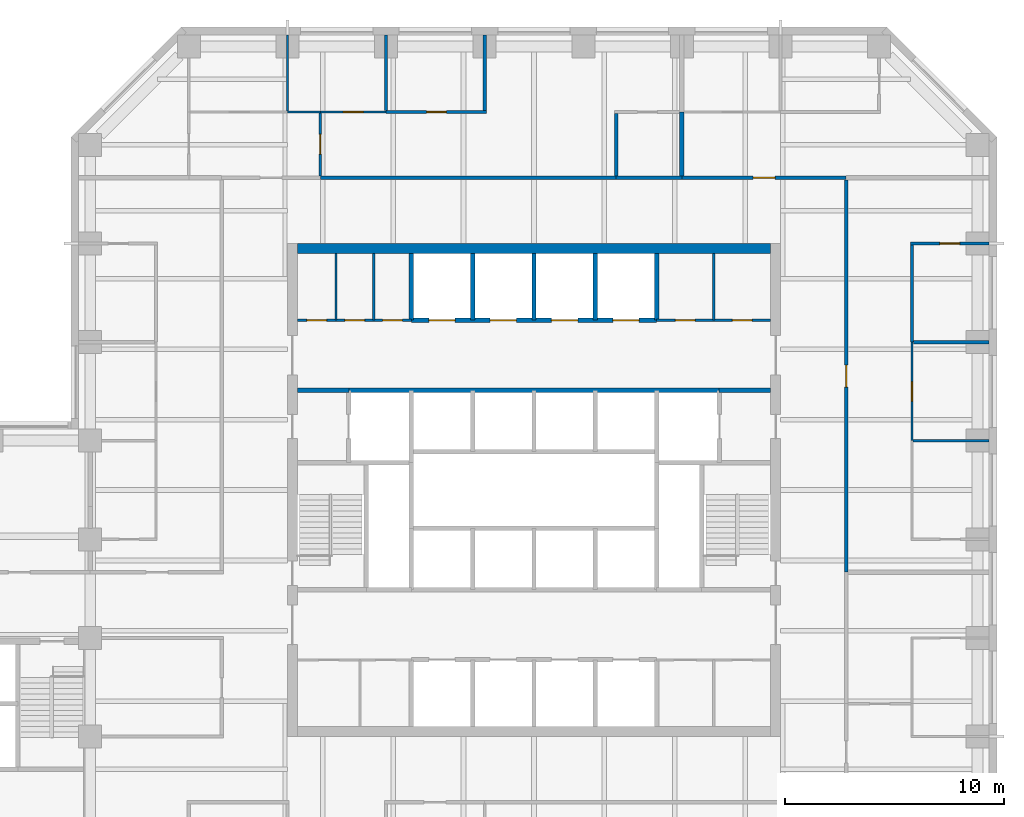
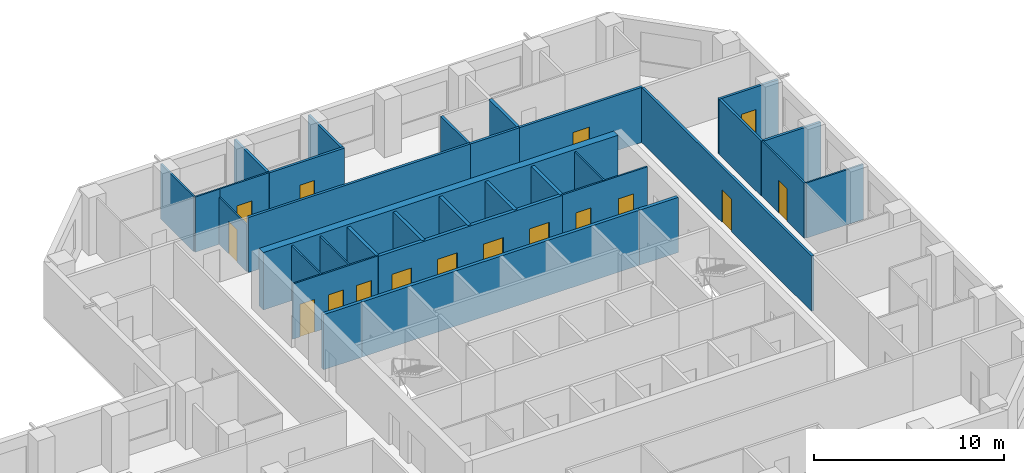
# One storey, part 8 of 11: 33 walls, 16 doors, 16 openings.
"""IFC4 building model written with IfcOpenShell, lengths in metres."""

from ifc_helpers import new_model, si_unit, direction, frame, frame_2d, origin, place, context, subcontext, project, spatial, rectangle, extrude, material, layer, layer_set, type_object, element, fill, save


model = new_model("IFC4")

# Units and contexts
model_context = context("Model", 3, precision=1e-05, world=origin(), true_north=direction((0.0, 1.0)))
body_context = subcontext(model_context, "Body", "Model", "MODEL_VIEW")
ifc_project = project(units=[si_unit("LENGTHUNIT", "METRE"), si_unit("AREAUNIT", "SQUARE_METRE"), si_unit("VOLUMEUNIT", "CUBIC_METRE"), si_unit("PLANEANGLEUNIT", "RADIAN"), si_unit("MASSUNIT", "GRAM", prefix="KILO")], contexts=[model_context])

# Site, building, storey
site_placement = place(None, origin())
site = spatial("IfcSite", under=ifc_project, at=site_placement, CompositionType="ELEMENT")
building_placement = place(site_placement, origin())
building = spatial("IfcBuilding", under=site, at=building_placement, Name="Quoin Convention Tower", CompositionType="ELEMENT")
storey_placement = place(building_placement, frame((0.0, 0.0, 108.5)))
storey = spatial("IfcBuildingStorey", under=building, at=storey_placement, Name="L28", CompositionType="ELEMENT", Elevation=108.5)

# Wall
ifc_material_1 = material(Name="Plasterboard")
ifc_layer_1 = layer(ifc_material_1, 0.012451171875, Name="Finish")
ifc_material_2 = material(Name="Steel stud framing", Category="steel")
ifc_layer_2 = layer(ifc_material_2, 0.125, Name="Structure")
ifc_layer_3 = layer(ifc_material_1, 0.012451171875, Name="Finish")
ifc_layer_set_1 = layer_set([ifc_layer_1, ifc_layer_2, ifc_layer_3], Name="Steel stud framing")
wall_type_1 = type_object("IfcWallType", Name="Acoustic partition 150", PredefinedType="PARTITIONING", material=ifc_layer_set_1)
wall_1_placement = place(storey_placement, frame((73.574951171875, 67.5, 0.0), z_axis=(0.0, 0.0, 1.0), x_axis=(1.0, 0.0, 0.0)))
element("IfcWall", 1, at=wall_1_placement, inside=storey, type_object=wall_type_1, Name="pw-L28-046", PredefinedType="PARTITIONING", context=body_context, shape_type="SweptSolid", body=[
    extrude(rectangle(XDim=3.449951171875, YDim=0.14990234375, at=frame_2d((1.72509765625, 0.0))), origin(), (0.0, 0.0, 1.0), 3.550048828125),
])

# Wall, opening, door
wall_2_placement = place(storey_placement, frame((73.425048828125, 72.0, 0.0), z_axis=(0.0, 0.0, 1.0), x_axis=(1.0, 0.0, 0.0)))
wall_2 = element("IfcWall", 2, at=wall_2_placement, inside=storey, type_object=wall_type_1, Name="pw-L28-048", PredefinedType="PARTITIONING", context=body_context, shape_type="SweptSolid", body=[
    extrude(rectangle(XDim=3.599853515625, YDim=0.14990234375, at=frame_2d((1.7998046875, 0.0))), origin(), (0.0, 0.0, 1.0), 3.550048828125),
])
opening_1_placement = place(wall_2_placement, frame((1.35009765625, 0.0, 0.0)))
opening_1 = element("IfcOpeningElement", 3, at=opening_1_placement, cuts=wall_2, Name="Opening DOL5-16", PredefinedType="OPENING", context=body_context, shape_type="SweptSolid", body=[
    extrude(rectangle(XDim=0.89990234375, YDim=2.10009765625, at=frame_2d((0.449951171875, 1.050048828125))), frame((0.0, 0.0849609375, 0.0), z_axis=(0.0, -1.0, 0.0), x_axis=(1.0, 0.0, 0.0)), (0.0, 0.0, 1.0), 0.169921875),
])
ifc_material_3 = material(Name="Steel door leaf", Category="steel")
door_type_1 = type_object("IfcDoorType", Name="Office door 900 x 2100", OperationType="SINGLE_SWING_RIGHT", PredefinedType="DOOR", material=ifc_material_3)
door_1_placement = place(opening_1_placement, origin())
door_1 = element("IfcDoor", 4, at=door_1_placement, inside=storey, type_object=door_type_1, Name="dr-L28-45", OperationType="SINGLE_SWING_RIGHT", OverallHeight=2.10009765625, OverallWidth=0.89990234375, PredefinedType="DOOR", context=body_context, shape_type="SweptSolid", body=[
    extrude(rectangle(XDim=0.89990234375, YDim=2.10009765625, at=frame_2d((0.449951171875, 1.050048828125))), frame((0.0, 0.02490234375, 0.0), z_axis=(0.0, -1.0, 0.0), x_axis=(1.0, 0.0, 0.0)), (0.0, 0.0, 1.0), 0.050048828125),
])
fill(opening_1, door_1)

wall_3_placement = place(storey_placement, frame((49.5, 78.0, 0.0), z_axis=(0.0, 0.0, 1.0), x_axis=(1.0, 0.0, 0.0)))
wall_3 = element("IfcWall", 5, at=wall_3_placement, inside=storey, type_object=wall_type_1, Name="pw-L28-059", PredefinedType="PARTITIONING", context=body_context, shape_type="SweptSolid", body=[
    extrude(rectangle(XDim=4.574951171875, YDim=0.14990234375, at=frame_2d((2.28759765625, 0.0))), origin(), (0.0, 0.0, 1.0), 3.550048828125),
])
opening_2_placement = place(wall_3_placement, frame((1.85009765625, 0.0, 0.0)))
opening_2 = element("IfcOpeningElement", 6, at=opening_2_placement, cuts=wall_3, Name="Opening DOL5-21", PredefinedType="OPENING", context=body_context, shape_type="SweptSolid", body=[
    extrude(rectangle(XDim=0.89990234375, YDim=2.10009765625, at=frame_2d((0.449951171875, 1.050048828125))), frame((0.0, 0.0849609375, 0.0), z_axis=(0.0, -1.0, 0.0), x_axis=(1.0, 0.0, 0.0)), (0.0, 0.0, 1.0), 0.169921875),
])
door_2_placement = place(opening_2_placement, frame((0.89990234375, 0.0, 0.0), z_axis=(0.0, 0.0, 1.0), x_axis=(-1.0, 0.0, 0.0)))
door_2 = element("IfcDoor", 7, at=door_2_placement, inside=storey, type_object=door_type_1, Name="dr-L28-37", OperationType="SINGLE_SWING_LEFT", OverallHeight=2.10009765625, OverallWidth=0.89990234375, PredefinedType="DOOR", context=body_context, shape_type="SweptSolid", body=[
    extrude(rectangle(XDim=0.89990234375, YDim=2.10009765625, at=frame_2d((0.449951171875, 1.050048828125))), frame((0.0, 0.02490234375, 0.0), z_axis=(0.0, -1.0, 0.0), x_axis=(1.0, 0.0, 0.0)), (0.0, 0.0, 1.0), 0.050048828125),
])
fill(opening_2, door_2)

# Walls
wall_4_placement = place(storey_placement, frame((73.5, 67.5, 0.0), z_axis=(0.0, 0.0, 1.0), x_axis=(0.0, 1.0, 0.0)))
element("IfcWall", 8, at=wall_4_placement, inside=storey, type_object=wall_type_1, Name="pw-L28-109", PredefinedType="PARTITIONING", context=body_context, shape_type="SweptSolid", body=[
    extrude(rectangle(XDim=4.425048828125, YDim=0.14990234375, at=frame_2d((2.21240234375, 0.0))), origin(), (0.0, 0.0, 1.0), 3.550048828125),
])
for number, where, z_axis, x_axis, name in (
    (9, (49.5, 78.074951171875, 0.0), (0.0, 0.0, 1.0), (0.0, 1.0, 0.0), "pw-L28-117"),
    (10, (54.0, 78.074951171875, 0.0), (0.0, 0.0, 1.0), (0.0, 1.0, 0.0), "pw-L28-118"),
):
    element("IfcWall", number, at=place(storey_placement, frame(where, z_axis=z_axis, x_axis=x_axis)), inside=storey, type_object=wall_type_1, Name=name, PredefinedType="PARTITIONING", context=body_context, shape_type="SweptSolid", body=[
        extrude(rectangle(XDim=3.449951171875, YDim=0.14990234375, at=frame_2d((1.72509765625, 0.0))), origin(), (0.0, 0.0, 1.0), 3.550048828125),
    ])

# Wall, openings, doors
ifc_layer_4 = layer(ifc_material_1, 0.012451171875, Name="Finish")
ifc_layer_5 = layer(ifc_material_2, 0.074951171875, Name="Structure")
ifc_layer_6 = layer(ifc_material_1, 0.012451171875, Name="Finish")
ifc_layer_set_2 = layer_set([ifc_layer_4, ifc_layer_5, ifc_layer_6], Name="Steel stud framing")
wall_type_2 = type_object("IfcWallType", Name="Core partition wall", PredefinedType="PARTITIONING", material=ifc_layer_set_2)
wall_5_placement = place(storey_placement, frame((45.449951171875, 68.5, 0.0), z_axis=(0.0, 0.0, 1.0), x_axis=(1.0, 0.0, 0.0)))
wall_5 = element("IfcWall", 11, at=wall_5_placement, inside=storey, type_object=wall_type_2, Name="cr-C1-L28-h19000_450", PredefinedType="PARTITIONING", context=body_context, shape_type="SweptSolid", body=[
    extrude(rectangle(XDim=5.199951171875, YDim=0.10009765625, at=frame_2d((2.60009765625, 0.0))), origin(), (0.0, 0.0, 1.0), 3.550048828125),
])
opening_3_placement = place(wall_5_placement, frame((0.43408203125, 0.0, 0.0)))
opening_3 = element("IfcOpeningElement", 12, at=opening_3_placement, cuts=wall_5, Name="Opening DCV4-15", PredefinedType="OPENING", context=body_context, shape_type="SweptSolid", body=[
    extrude(rectangle(XDim=0.89990234375, YDim=2.10009765625, at=frame_2d((0.449951171875, 1.050048828125))), frame((0.0, 0.06005859375, 0.0), z_axis=(0.0, -1.0, 0.0), x_axis=(1.0, 0.0, 0.0)), (0.0, 0.0, 1.0), 0.1201171875),
])
opening_4_placement = place(wall_5_placement, frame((2.176025390625, 0.0, 0.0)))
opening_4 = element("IfcOpeningElement", 13, at=opening_4_placement, cuts=wall_5, Name="Opening DCV4-16", PredefinedType="OPENING", context=body_context, shape_type="SweptSolid", body=[
    extrude(rectangle(XDim=0.89990234375, YDim=2.10009765625, at=frame_2d((0.449951171875, 1.050048828125))), frame((0.0, 0.06005859375, 0.0), z_axis=(0.0, -1.0, 0.0), x_axis=(1.0, 0.0, 0.0)), (0.0, 0.0, 1.0), 0.1201171875),
])
opening_5_placement = place(wall_5_placement, frame((3.89208984375, 0.0, 0.0)))
opening_5 = element("IfcOpeningElement", 14, at=opening_5_placement, cuts=wall_5, Name="Opening DCV4-17", PredefinedType="OPENING", context=body_context, shape_type="SweptSolid", body=[
    extrude(rectangle(XDim=0.89990234375, YDim=2.10009765625, at=frame_2d((0.449951171875, 1.050048828125))), frame((0.0, 0.06005859375, 0.0), z_axis=(0.0, -1.0, 0.0), x_axis=(1.0, 0.0, 0.0)), (0.0, 0.0, 1.0), 0.1201171875),
])
door_type_2 = type_object("IfcDoorType", Name="Core room door 900 x 2100", OperationType="SINGLE_SWING_LEFT", PredefinedType="DOOR", material=ifc_material_3)
door_3_placement = place(opening_3_placement, origin())
door_3 = element("IfcDoor", 15, at=door_3_placement, inside=storey, type_object=door_type_2, Name="cd-C1-L28-CNW0-lobB-CD2809", OperationType="SINGLE_SWING_RIGHT", OverallHeight=2.10009765625, OverallWidth=0.89990234375, PredefinedType="DOOR", context=body_context, shape_type="SweptSolid", body=[
    extrude(rectangle(XDim=0.89990234375, YDim=2.10009765625, at=frame_2d((0.449951171875, 1.050048828125))), frame((0.0, 0.02490234375, 0.0), z_axis=(0.0, -1.0, 0.0), x_axis=(1.0, 0.0, 0.0)), (0.0, 0.0, 1.0), 0.050048828125),
])
fill(opening_3, door_3)
door_4_placement = place(opening_4_placement, origin())
door_4 = element("IfcDoor", 16, at=door_4_placement, inside=storey, type_object=door_type_2, Name="cd-C1-L28-CNW1-lobB-CD2810", OperationType="SINGLE_SWING_RIGHT", OverallHeight=2.10009765625, OverallWidth=0.89990234375, PredefinedType="DOOR", context=body_context, shape_type="SweptSolid", body=[
    extrude(rectangle(XDim=0.89990234375, YDim=2.10009765625, at=frame_2d((0.449951171875, 1.050048828125))), frame((0.0, 0.02490234375, 0.0), z_axis=(0.0, -1.0, 0.0), x_axis=(1.0, 0.0, 0.0)), (0.0, 0.0, 1.0), 0.050048828125),
])
fill(opening_4, door_4)
door_5_placement = place(opening_5_placement, origin())
door_5 = element("IfcDoor", 17, at=door_5_placement, inside=storey, type_object=door_type_2, Name="cd-C1-L28-CNW2-lobB-CD2811", OperationType="SINGLE_SWING_RIGHT", OverallHeight=2.10009765625, OverallWidth=0.89990234375, PredefinedType="DOOR", context=body_context, shape_type="SweptSolid", body=[
    extrude(rectangle(XDim=0.89990234375, YDim=2.10009765625, at=frame_2d((0.449951171875, 1.050048828125))), frame((0.0, 0.02490234375, 0.0), z_axis=(0.0, -1.0, 0.0), x_axis=(1.0, 0.0, 0.0)), (0.0, 0.0, 1.0), 0.050048828125),
])
fill(opening_5, door_5)

wall_6_placement = place(storey_placement, frame((61.85009765625, 68.5, 0.0), z_axis=(0.0, 0.0, 1.0), x_axis=(1.0, 0.0, 0.0)))
wall_6 = element("IfcWall", 18, at=wall_6_placement, inside=storey, type_object=wall_type_2, Name="cr-C1-L28-h19000_16850", PredefinedType="PARTITIONING", context=body_context, shape_type="SweptSolid", body=[
    extrude(rectangle(XDim=5.199951171875, YDim=0.10009765625, at=frame_2d((2.60009765625, 0.0))), origin(), (0.0, 0.0, 1.0), 3.550048828125),
])
opening_6_placement = place(wall_6_placement, frame((3.449951171875, 0.0, 0.0)))
opening_6 = element("IfcOpeningElement", 19, at=opening_6_placement, cuts=wall_6, Name="Opening DCV4-04", PredefinedType="OPENING", context=body_context, shape_type="SweptSolid", body=[
    extrude(rectangle(XDim=0.89990234375, YDim=2.10009765625, at=frame_2d((0.449951171875, 1.050048828125))), frame((0.0, 0.06005859375, 0.0), z_axis=(0.0, -1.0, 0.0), x_axis=(1.0, 0.0, 0.0)), (0.0, 0.0, 1.0), 0.1201171875),
])
opening_7_placement = place(wall_6_placement, frame((0.85009765625, 0.0, 0.0)))
opening_7 = element("IfcOpeningElement", 20, at=opening_7_placement, cuts=wall_6, Name="Opening DCV4-02", PredefinedType="OPENING", context=body_context, shape_type="SweptSolid", body=[
    extrude(rectangle(XDim=0.89990234375, YDim=2.10009765625, at=frame_2d((0.449951171875, 1.050048828125))), frame((0.0, 0.06005859375, 0.0), z_axis=(0.0, -1.0, 0.0), x_axis=(1.0, 0.0, 0.0)), (0.0, 0.0, 1.0), 0.1201171875),
])
door_6_placement = place(opening_6_placement, origin())
door_6 = element("IfcDoor", 21, at=door_6_placement, inside=storey, type_object=door_type_2, Name="cd-C1-L28-CNE0-lobB-CD2807", OperationType="SINGLE_SWING_RIGHT", OverallHeight=2.10009765625, OverallWidth=0.89990234375, PredefinedType="DOOR", context=body_context, shape_type="SweptSolid", body=[
    extrude(rectangle(XDim=0.89990234375, YDim=2.10009765625, at=frame_2d((0.449951171875, 1.050048828125))), frame((0.0, 0.02490234375, 0.0), z_axis=(0.0, -1.0, 0.0), x_axis=(1.0, 0.0, 0.0)), (0.0, 0.0, 1.0), 0.050048828125),
])
fill(opening_6, door_6)
door_7_placement = place(opening_7_placement, origin())
door_7 = element("IfcDoor", 22, at=door_7_placement, inside=storey, type_object=door_type_2, Name="cd-C1-L28-CNE1-lobB-CD2808", OperationType="SINGLE_SWING_LEFT", OverallHeight=2.10009765625, OverallWidth=0.89990234375, PredefinedType="DOOR", context=body_context, shape_type="SweptSolid", body=[
    extrude(rectangle(XDim=0.89990234375, YDim=2.10009765625, at=frame_2d((0.449951171875, 1.050048828125))), frame((0.0, 0.02490234375, 0.0), z_axis=(0.0, -1.0, 0.0), x_axis=(1.0, 0.0, 0.0)), (0.0, 0.0, 1.0), 0.050048828125),
])
fill(opening_7, door_7)

# Walls
for number, where, z_axis, x_axis, name in (
    (23, (47.218017578125, 68.5, 0.0), (0.0, 0.0, 1.0), (0.0, 1.0, 0.0), "cr-C1-L28-v2218_19000"),
    (24, (48.93408203125, 68.5, 0.0), (0.0, 0.0, 1.0), (0.0, 1.0, 0.0), "cr-C1-L28-v3934_19000"),
    (25, (64.449951171875, 68.5, 0.0), (0.0, 0.0, 1.0), (0.0, 1.0, 0.0), "cr-C1-L28-v19450_19000"),
):
    element("IfcWall", number, at=place(storey_placement, frame(where, z_axis=z_axis, x_axis=x_axis)), inside=storey, type_object=wall_type_2, Name=name, PredefinedType="PARTITIONING", context=body_context, shape_type="SweptSolid", body=[
        extrude(rectangle(XDim=3.050048828125, YDim=0.10009765625, at=frame_2d((1.52490234375, 0.0))), origin(), (0.0, 0.0, 1.0), 3.550048828125),
    ])
ifc_material_4 = material(Name="Concrete C50", Category="concrete")
ifc_layer_7 = layer(ifc_material_4, 0.199951171875)
ifc_layer_set_3 = layer_set([ifc_layer_7], Name="Concrete C50")
wall_type_3 = type_object("IfcWallType", Name="Core shaft wall", PredefinedType="SOLIDWALL", material=ifc_layer_set_3)
for number, where, z_axis, x_axis, name in (
    (26, (45.449951171875, 65.300048828125, 0.0), (0.0, 0.0, 1.0), (1.0, 0.0, 0.0), "cr-C1-L28-h15800_450"),
    (27, (64.699951171875, 65.300048828125, 0.0), (0.0, 0.0, 1.0), (1.0, 0.0, 0.0), "cr-C1-L28-h15800_19700"),
):
    element("IfcWall", number, at=place(storey_placement, frame(where, z_axis=z_axis, x_axis=x_axis)), inside=storey, type_object=wall_type_3, Name=name, PredefinedType="SOLIDWALL", context=body_context, shape_type="SweptSolid", body=[
        extrude(rectangle(XDim=2.35009765625, YDim=0.199951171875, at=frame_2d((1.175048828125, 0.0))), origin(), (0.0, 0.0, 1.0), 3.550048828125),
    ])
wall_7_placement = place(storey_placement, frame((47.800048828125, 65.300048828125, 0.0), z_axis=(0.0, 0.0, 1.0), x_axis=(1.0, 0.0, 0.0)))
element("IfcWall", 28, at=wall_7_placement, inside=storey, type_object=wall_type_3, Name="cr-C1-L28-h15800_2800", PredefinedType="SOLIDWALL", context=body_context, shape_type="SweptSolid", body=[
    extrude(rectangle(XDim=16.89990234375, YDim=0.199951171875, at=frame_2d((8.449951171875, 0.0))), origin(), (0.0, 0.0, 1.0), 3.550048828125),
])

# Wall, openings, doors
wall_8_placement = place(storey_placement, frame((50.64990234375, 68.5, 0.0), z_axis=(0.0, 0.0, 1.0), x_axis=(1.0, 0.0, 0.0)))
wall_8 = element("IfcWall", 29, at=wall_8_placement, inside=storey, type_object=wall_type_3, Name="cr-C1-L28-h19000_5650", PredefinedType="SOLIDWALL", context=body_context, shape_type="SweptSolid", body=[
    extrude(rectangle(XDim=11.2001953125, YDim=0.199951171875, at=frame_2d((5.60009765625, 0.0))), origin(), (0.0, 0.0, 1.0), 3.550048828125),
])
opening_8_placement = place(wall_8_placement, frame((0.800048828125, 0.0, 0.0)))
opening_8 = element("IfcOpeningElement", 30, at=opening_8_placement, cuts=wall_8, Name="Opening LDL5", PredefinedType="OPENING", context=body_context, shape_type="SweptSolid", body=[
    extrude(rectangle(XDim=1.199951171875, YDim=2.10009765625, at=frame_2d((0.60009765625, 1.050048828125))), frame((0.0, 0.10986328125, 0.0), z_axis=(0.0, -1.0, 0.0), x_axis=(1.0, 0.0, 0.0)), (0.0, 0.0, 1.0), 0.219970703125),
])
opening_9_placement = place(wall_8_placement, frame((3.60009765625, 0.0, 0.0)))
opening_9 = element("IfcOpeningElement", 31, at=opening_9_placement, cuts=wall_8, Name="Opening LDL6", PredefinedType="OPENING", context=body_context, shape_type="SweptSolid", body=[
    extrude(rectangle(XDim=1.199951171875, YDim=2.10009765625, at=frame_2d((0.60009765625, 1.050048828125))), frame((0.0, 0.10986328125, 0.0), z_axis=(0.0, -1.0, 0.0), x_axis=(1.0, 0.0, 0.0)), (0.0, 0.0, 1.0), 0.219970703125),
])
opening_10_placement = place(wall_8_placement, frame((6.39990234375, 0.0, 0.0)))
opening_10 = element("IfcOpeningElement", 32, at=opening_10_placement, cuts=wall_8, Name="Opening LDL7", PredefinedType="OPENING", context=body_context, shape_type="SweptSolid", body=[
    extrude(rectangle(XDim=1.199951171875, YDim=2.10009765625, at=frame_2d((0.60009765625, 1.050048828125))), frame((0.0, 0.10986328125, 0.0), z_axis=(0.0, -1.0, 0.0), x_axis=(1.0, 0.0, 0.0)), (0.0, 0.0, 1.0), 0.219970703125),
])
opening_11_placement = place(wall_8_placement, frame((9.199951171875, 0.0, 0.0)))
opening_11 = element("IfcOpeningElement", 33, at=opening_11_placement, cuts=wall_8, Name="Opening LDL8", PredefinedType="OPENING", context=body_context, shape_type="SweptSolid", body=[
    extrude(rectangle(XDim=1.199951171875, YDim=2.10009765625, at=frame_2d((0.60009765625, 1.050048828125))), frame((0.0, 0.10986328125, 0.0), z_axis=(0.0, -1.0, 0.0), x_axis=(1.0, 0.0, 0.0)), (0.0, 0.0, 1.0), 0.219970703125),
])
door_type_3 = type_object("IfcDoorType", Name="Lift landing door 1200 x 2100", OperationType="DOUBLE_DOOR_SLIDING", PredefinedType="DOOR", material=ifc_material_3)
door_8_placement = place(opening_8_placement, origin())
door_8 = element("IfcDoor", 34, at=door_8_placement, inside=storey, type_object=door_type_3, Name="cd-C1-L28-R40-lobB-LDL5", OperationType="DOUBLE_DOOR_SLIDING", OverallHeight=2.10009765625, OverallWidth=1.199951171875, PredefinedType="DOOR", context=body_context, shape_type="SweptSolid", body=[
    extrude(rectangle(XDim=1.199951171875, YDim=2.10009765625, at=frame_2d((0.60009765625, 1.050048828125))), frame((0.0, 0.02490234375, 0.0), z_axis=(0.0, -1.0, 0.0), x_axis=(1.0, 0.0, 0.0)), (0.0, 0.0, 1.0), 0.050048828125),
])
fill(opening_8, door_8)
door_9_placement = place(opening_9_placement, origin())
door_9 = element("IfcDoor", 35, at=door_9_placement, inside=storey, type_object=door_type_3, Name="cd-C1-L28-R41-lobB-LDL6", OperationType="DOUBLE_DOOR_SLIDING", OverallHeight=2.10009765625, OverallWidth=1.199951171875, PredefinedType="DOOR", context=body_context, shape_type="SweptSolid", body=[
    extrude(rectangle(XDim=1.199951171875, YDim=2.10009765625, at=frame_2d((0.60009765625, 1.050048828125))), frame((0.0, 0.02490234375, 0.0), z_axis=(0.0, -1.0, 0.0), x_axis=(1.0, 0.0, 0.0)), (0.0, 0.0, 1.0), 0.050048828125),
])
fill(opening_9, door_9)
door_10_placement = place(opening_10_placement, origin())
door_10 = element("IfcDoor", 36, at=door_10_placement, inside=storey, type_object=door_type_3, Name="cd-C1-L28-R42-lobB-LDL7", OperationType="DOUBLE_DOOR_SLIDING", OverallHeight=2.10009765625, OverallWidth=1.199951171875, PredefinedType="DOOR", context=body_context, shape_type="SweptSolid", body=[
    extrude(rectangle(XDim=1.199951171875, YDim=2.10009765625, at=frame_2d((0.60009765625, 1.050048828125))), frame((0.0, 0.02490234375, 0.0), z_axis=(0.0, -1.0, 0.0), x_axis=(1.0, 0.0, 0.0)), (0.0, 0.0, 1.0), 0.050048828125),
])
fill(opening_10, door_10)
door_11_placement = place(opening_11_placement, origin())
door_11 = element("IfcDoor", 37, at=door_11_placement, inside=storey, type_object=door_type_3, Name="cd-C1-L28-R43-lobB-LDL8", OperationType="DOUBLE_DOOR_SLIDING", OverallHeight=2.10009765625, OverallWidth=1.199951171875, PredefinedType="DOOR", context=body_context, shape_type="SweptSolid", body=[
    extrude(rectangle(XDim=1.199951171875, YDim=2.10009765625, at=frame_2d((0.60009765625, 1.050048828125))), frame((0.0, 0.02490234375, 0.0), z_axis=(0.0, -1.0, 0.0), x_axis=(1.0, 0.0, 0.0)), (0.0, 0.0, 1.0), 0.050048828125),
])
fill(opening_11, door_11)

# Walls
for number, where, z_axis, x_axis, name in (
    (38, (50.64990234375, 68.5, 0.0), (0.0, 0.0, 1.0), (0.0, 1.0, 0.0), "cr-C1-L28-v5650_19000"),
    (39, (53.449951171875, 68.5, 0.0), (0.0, 0.0, 1.0), (0.0, 1.0, 0.0), "cr-C1-L28-v8450_19000"),
    (40, (56.25, 68.5, 0.0), (0.0, 0.0, 1.0), (0.0, 1.0, 0.0), "cr-C1-L28-v11250_19000"),
    (41, (59.050048828125, 68.5, 0.0), (0.0, 0.0, 1.0), (0.0, 1.0, 0.0), "cr-C1-L28-v14050_19000"),
    (42, (61.85009765625, 68.5, 0.0), (0.0, 0.0, 1.0), (0.0, 1.0, 0.0), "cr-C1-L28-v16850_19000"),
):
    element("IfcWall", number, at=place(storey_placement, frame(where, z_axis=z_axis, x_axis=x_axis)), inside=storey, type_object=wall_type_3, Name=name, PredefinedType="SOLIDWALL", context=body_context, shape_type="SweptSolid", body=[
        extrude(rectangle(XDim=3.050048828125, YDim=0.199951171875, at=frame_2d((1.52490234375, 0.0))), origin(), (0.0, 0.0, 1.0), 3.550048828125),
    ])
ifc_layer_8 = layer(ifc_material_1, 0.012451171875, Name="Finish")
ifc_layer_9 = layer(ifc_material_2, 0.125, Name="Structure")
ifc_layer_10 = layer(ifc_material_1, 0.012451171875, Name="Finish")
ifc_layer_set_4 = layer_set([ifc_layer_8, ifc_layer_9, ifc_layer_10], Name="Steel stud framing")
wall_type_4 = type_object("IfcWallType", Name="Corridor wall 150", PredefinedType="PARTITIONING", material=ifc_layer_set_4)
wall_9_placement = place(storey_placement, frame((46.5, 75.0, 0.0), z_axis=(0.0, 0.0, 1.0), x_axis=(1.0, 0.0, 0.0)))
element("IfcWall", 43, at=wall_9_placement, inside=storey, type_object=wall_type_4, Name="pw-L28-052", PredefinedType="PARTITIONING", context=body_context, shape_type="SweptSolid", body=[
    extrude(rectangle(XDim=13.5, YDim=0.14990234375, at=frame_2d((6.75, 0.0))), origin(), (0.0, 0.0, 1.0), 3.550048828125),
])
wall_10_placement = place(storey_placement, frame((60.0, 75.0, 0.0), z_axis=(0.0, 0.0, 1.0), x_axis=(1.0, 0.0, 0.0)))
element("IfcWall", 44, at=wall_10_placement, inside=storey, type_object=wall_type_4, Name="pw-L28-053", PredefinedType="PARTITIONING", context=body_context, shape_type="SweptSolid", body=[
    extrude(rectangle(XDim=3.0, YDim=0.14990234375, at=frame_2d((1.5, 0.0))), origin(), (0.0, 0.0, 1.0), 3.550048828125),
])

# Wall, opening, door
wall_11_placement = place(storey_placement, frame((63.0, 75.0, 0.0), z_axis=(0.0, 0.0, 1.0), x_axis=(1.0, 0.0, 0.0)))
wall_11 = element("IfcWall", 45, at=wall_11_placement, inside=storey, type_object=wall_type_4, Name="pw-L28-054", PredefinedType="PARTITIONING", context=body_context, shape_type="SweptSolid", body=[
    extrude(rectangle(XDim=7.5, YDim=0.14990234375, at=frame_2d((3.75, 0.0))), origin(), (0.0, 0.0, 1.0), 3.550048828125),
])
opening_12_placement = place(wall_11_placement, frame((3.25, 0.0, 0.0)))
opening_12 = element("IfcOpeningElement", 46, at=opening_12_placement, cuts=wall_11, Name="Opening DOL5-18", PredefinedType="OPENING", context=body_context, shape_type="SweptSolid", body=[
    extrude(rectangle(XDim=1.0, YDim=2.10009765625, at=frame_2d((0.5, 1.050048828125))), frame((0.0, 0.0849609375, 0.0), z_axis=(0.0, -1.0, 0.0), x_axis=(1.0, 0.0, 0.0)), (0.0, 0.0, 1.0), 0.169921875),
])
door_type_4 = type_object("IfcDoorType", Name="Tenancy entrance door 1000 x 2100", OperationType="DOUBLE_DOOR_SINGLE_SWING", PredefinedType="DOOR", material=ifc_material_3)
door_12_placement = place(opening_12_placement, origin())
door_12 = element("IfcDoor", 47, at=door_12_placement, inside=storey, type_object=door_type_4, Name="dr-L28-46", OperationType="DOUBLE_DOOR_SINGLE_SWING", OverallHeight=2.10009765625, OverallWidth=1.0, PredefinedType="DOOR", context=body_context, shape_type="SweptSolid", body=[
    extrude(rectangle(XDim=1.0, YDim=2.10009765625, at=frame_2d((0.5, 1.050048828125))), frame((0.0, 0.02490234375, 0.0), z_axis=(0.0, -1.0, 0.0), x_axis=(1.0, 0.0, 0.0)), (0.0, 0.0, 1.0), 0.050048828125),
])
fill(opening_12, door_12)

wall_12_placement = place(storey_placement, frame((70.5, 57.0, 0.0), z_axis=(0.0, 0.0, 1.0), x_axis=(0.0, 1.0, 0.0)))
wall_12 = element("IfcWall", 48, at=wall_12_placement, inside=storey, type_object=wall_type_4, Name="pw-L28-094", PredefinedType="PARTITIONING", context=body_context, shape_type="SweptSolid", body=[
    extrude(rectangle(XDim=17.89990234375, YDim=0.14990234375, at=frame_2d((8.949951171875, 0.0))), origin(), (0.0, 0.0, 1.0), 3.550048828125),
])
opening_13_placement = place(wall_12_placement, frame((8.449951171875, 0.0, 0.0)))
opening_13 = element("IfcOpeningElement", 49, at=opening_13_placement, cuts=wall_12, Name="Opening DOL5-33", PredefinedType="OPENING", context=body_context, shape_type="SweptSolid", body=[
    extrude(rectangle(XDim=1.0, YDim=2.10009765625, at=frame_2d((0.5, 1.050048828125))), frame((0.0, 0.0849609375, 0.0), z_axis=(0.0, -1.0, 0.0), x_axis=(1.0, 0.0, 0.0)), (0.0, 0.0, 1.0), 0.169921875),
])
door_13_placement = place(opening_13_placement, frame((1.0, 0.0, 0.0), z_axis=(0.0, 0.0, 1.0), x_axis=(-1.0, 0.0, 0.0)))
door_13 = element("IfcDoor", 50, at=door_13_placement, inside=storey, type_object=door_type_4, Name="dr-L28-42", OperationType="DOUBLE_DOOR_SINGLE_SWING", OverallHeight=2.10009765625, OverallWidth=1.0, PredefinedType="DOOR", context=body_context, shape_type="SweptSolid", body=[
    extrude(rectangle(XDim=1.0, YDim=2.10009765625, at=frame_2d((0.5, 1.050048828125))), frame((0.0, 0.02490234375, 0.0), z_axis=(0.0, -1.0, 0.0), x_axis=(1.0, 0.0, 0.0)), (0.0, 0.0, 1.0), 0.050048828125),
])
fill(opening_13, door_13)

# Walls
ifc_material_5 = material(Name="Concrete C65", Category="concrete")
ifc_layer_11 = layer(ifc_material_5, 0.449951171875)
ifc_layer_set_5 = layer_set([ifc_layer_11], Name="Concrete C65")
wall_type_5 = type_object("IfcWallType", Name="RC CORE WALL 450 C65", PredefinedType="SHEAR", material=ifc_layer_set_5)
wall_13_placement = place(storey_placement, frame((45.449951171875, 71.77490234375, 0.0), z_axis=(0.0, 0.0, 1.0), x_axis=(1.0, 0.0, 0.0)))
element("IfcWall", 51, at=wall_13_placement, inside=storey, type_object=wall_type_5, Name="cwl-C1-L28-N", PredefinedType="SHEAR", context=body_context, shape_type="SweptSolid", body=[
    extrude(rectangle(XDim=21.60009765625, YDim=0.449951171875, at=frame_2d((10.800048828125, 0.0))), origin(), (0.0, 0.0, 1.0), 3.699951171875),
])
ifc_layer_12 = layer(ifc_material_1, 0.012451171875, Name="Finish")
ifc_layer_13 = layer(ifc_material_2, 0.074951171875, Name="Structure")
ifc_layer_14 = layer(ifc_material_1, 0.012451171875, Name="Finish")
ifc_layer_set_6 = layer_set([ifc_layer_12, ifc_layer_13, ifc_layer_14], Name="Steel stud framing")
wall_type_6 = type_object("IfcWallType", Name="Stud partition 100", PredefinedType="PARTITIONING", material=ifc_layer_set_6)
wall_14_placement = place(storey_placement, frame((73.550048828125, 63.0, 0.0), z_axis=(0.0, 0.0, 1.0), x_axis=(1.0, 0.0, 0.0)))
element("IfcWall", 52, at=wall_14_placement, inside=storey, type_object=wall_type_6, Name="pw-L28-044", PredefinedType="PARTITIONING", context=body_context, shape_type="SweptSolid", body=[
    extrude(rectangle(XDim=3.474853515625, YDim=0.10009765625, at=frame_2d((1.7373046875, 0.0))), origin(), (0.0, 0.0, 1.0), 3.550048828125),
])
wall_15_placement = place(storey_placement, frame((45.0, 78.0, 0.0), z_axis=(0.0, 0.0, 1.0), x_axis=(1.0, 0.0, 0.0)))
element("IfcWall", 53, at=wall_15_placement, inside=storey, type_object=wall_type_6, Name="pw-L28-057", PredefinedType="PARTITIONING", context=body_context, shape_type="SweptSolid", body=[
    extrude(rectangle(XDim=1.5, YDim=0.10009765625, at=frame_2d((0.75, 0.0))), origin(), (0.0, 0.0, 1.0), 3.550048828125),
])

# Wall, opening, door
wall_16_placement = place(storey_placement, frame((46.5, 78.0, 0.0), z_axis=(0.0, 0.0, 1.0), x_axis=(1.0, 0.0, 0.0)))
wall_16 = element("IfcWall", 54, at=wall_16_placement, inside=storey, type_object=wall_type_6, Name="pw-L28-058", PredefinedType="PARTITIONING", context=body_context, shape_type="SweptSolid", body=[
    extrude(rectangle(XDim=3.0, YDim=0.10009765625, at=frame_2d((1.5, 0.0))), origin(), (0.0, 0.0, 1.0), 3.550048828125),
])
opening_14_placement = place(wall_16_placement, frame((1.050048828125, 0.0, 0.0)))
opening_14 = element("IfcOpeningElement", 55, at=opening_14_placement, cuts=wall_16, Name="Opening DOL5-20", PredefinedType="OPENING", context=body_context, shape_type="SweptSolid", body=[
    extrude(rectangle(XDim=0.89990234375, YDim=2.10009765625, at=frame_2d((0.449951171875, 1.050048828125))), frame((0.0, 0.06005859375, 0.0), z_axis=(0.0, -1.0, 0.0), x_axis=(1.0, 0.0, 0.0)), (0.0, 0.0, 1.0), 0.1201171875),
])
door_14_placement = place(opening_14_placement, frame((0.89990234375, 0.0, 0.0), z_axis=(0.0, 0.0, 1.0), x_axis=(-1.0, 0.0, 0.0)))
door_14 = element("IfcDoor", 56, at=door_14_placement, inside=storey, type_object=door_type_1, Name="dr-L28-35", OperationType="SINGLE_SWING_LEFT", OverallHeight=2.10009765625, OverallWidth=0.89990234375, PredefinedType="DOOR", context=body_context, shape_type="SweptSolid", body=[
    extrude(rectangle(XDim=0.89990234375, YDim=2.10009765625, at=frame_2d((0.449951171875, 1.050048828125))), frame((0.0, 0.02490234375, 0.0), z_axis=(0.0, -1.0, 0.0), x_axis=(1.0, 0.0, 0.0)), (0.0, 0.0, 1.0), 0.050048828125),
])
fill(opening_14, door_14)

wall_17_placement = place(storey_placement, frame((73.5, 63.0, 0.0), z_axis=(0.0, 0.0, 1.0), x_axis=(0.0, 1.0, 0.0)))
wall_17 = element("IfcWall", 57, at=wall_17_placement, inside=storey, type_object=wall_type_6, Name="pw-L28-107", PredefinedType="PARTITIONING", context=body_context, shape_type="SweptSolid", body=[
    extrude(rectangle(XDim=4.5, YDim=0.10009765625, at=frame_2d((2.25, 0.0))), origin(), (0.0, 0.0, 1.0), 3.550048828125),
])
opening_15_placement = place(wall_17_placement, frame((1.800048828125, 0.0, 0.0)))
opening_15 = element("IfcOpeningElement", 58, at=opening_15_placement, cuts=wall_17, Name="Opening DOL5-35", PredefinedType="OPENING", context=body_context, shape_type="SweptSolid", body=[
    extrude(rectangle(XDim=0.89990234375, YDim=2.10009765625, at=frame_2d((0.449951171875, 1.050048828125))), frame((0.0, 0.06005859375, 0.0), z_axis=(0.0, -1.0, 0.0), x_axis=(1.0, 0.0, 0.0)), (0.0, 0.0, 1.0), 0.1201171875),
])
door_15_placement = place(opening_15_placement, origin())
door_15 = element("IfcDoor", 59, at=door_15_placement, inside=storey, type_object=door_type_1, Name="dr-L28-44", OperationType="SINGLE_SWING_RIGHT", OverallHeight=2.10009765625, OverallWidth=0.89990234375, PredefinedType="DOOR", context=body_context, shape_type="SweptSolid", body=[
    extrude(rectangle(XDim=0.89990234375, YDim=2.10009765625, at=frame_2d((0.449951171875, 1.050048828125))), frame((0.0, 0.02490234375, 0.0), z_axis=(0.0, -1.0, 0.0), x_axis=(1.0, 0.0, 0.0)), (0.0, 0.0, 1.0), 0.050048828125),
])
fill(opening_15, door_15)

# Wall
wall_18_placement = place(storey_placement, frame((45.0, 78.050048828125, 0.0), z_axis=(0.0, 0.0, 1.0), x_axis=(0.0, 1.0, 0.0)))
element("IfcWall", 60, at=wall_18_placement, inside=storey, type_object=wall_type_6, Name="pw-L28-116", PredefinedType="PARTITIONING", context=body_context, shape_type="SweptSolid", body=[
    extrude(rectangle(XDim=3.474853515625, YDim=0.10009765625, at=frame_2d((1.7373046875, 0.0))), origin(), (0.0, 0.0, 1.0), 3.550048828125),
])

# Wall, opening, door
ifc_layer_15 = layer(ifc_material_1, 0.012451171875, Name="Finish")
ifc_layer_16 = layer(ifc_material_2, 0.074951171875, Name="Structure")
ifc_layer_17 = layer(ifc_material_1, 0.012451171875, Name="Finish")
ifc_layer_set_7 = layer_set([ifc_layer_15, ifc_layer_16, ifc_layer_17], Name="Steel stud framing")
wall_type_7 = type_object("IfcWallType", Name="Stud partition 100 under beam 528", PredefinedType="PARTITIONING", material=ifc_layer_set_7)
wall_19_placement = place(storey_placement, frame((46.5, 75.074951171875, 0.0), z_axis=(0.0, 0.0, 1.0), x_axis=(0.0, 1.0, 0.0)))
wall_19 = element("IfcWall", 61, at=wall_19_placement, inside=storey, type_object=wall_type_7, Name="pw-L28-110", PredefinedType="PARTITIONING", context=body_context, shape_type="SweptSolid", body=[
    extrude(rectangle(XDim=2.875, YDim=0.10009765625, at=frame_2d((1.4375, 0.0))), origin(), (0.0, 0.0, 1.0), 3.02197265625),
])
opening_16_placement = place(wall_19_placement, frame((1.0, 0.0, 0.0)))
opening_16 = element("IfcOpeningElement", 62, at=opening_16_placement, cuts=wall_19, Name="Opening DOL5-36", PredefinedType="OPENING", context=body_context, shape_type="SweptSolid", body=[
    extrude(rectangle(XDim=0.89990234375, YDim=2.10009765625, at=frame_2d((0.449951171875, 1.050048828125))), frame((0.0, 0.06005859375, 0.0), z_axis=(0.0, -1.0, 0.0), x_axis=(1.0, 0.0, 0.0)), (0.0, 0.0, 1.0), 0.1201171875),
])
door_16_placement = place(opening_16_placement, frame((0.89990234375, 0.0, 0.0), z_axis=(0.0, 0.0, 1.0), x_axis=(-1.0, 0.0, 0.0)))
door_16 = element("IfcDoor", 63, at=door_16_placement, inside=storey, type_object=door_type_1, Name="dr-L28-32", OperationType="SINGLE_SWING_LEFT", OverallHeight=2.10009765625, OverallWidth=0.89990234375, PredefinedType="DOOR", context=body_context, shape_type="SweptSolid", body=[
    extrude(rectangle(XDim=0.89990234375, YDim=2.10009765625, at=frame_2d((0.449951171875, 1.050048828125))), frame((0.0, 0.02490234375, 0.0), z_axis=(0.0, -1.0, 0.0), x_axis=(1.0, 0.0, 0.0)), (0.0, 0.0, 1.0), 0.050048828125),
])
fill(opening_16, door_16)

# Walls
ifc_layer_18 = layer(ifc_material_1, 0.012451171875, Name="Finish")
ifc_layer_19 = layer(ifc_material_2, 0.175048828125, Name="Structure")
ifc_layer_20 = layer(ifc_material_1, 0.012451171875, Name="Finish")
ifc_layer_set_8 = layer_set([ifc_layer_18, ifc_layer_19, ifc_layer_20], Name="Steel stud framing")
wall_type_8 = type_object("IfcWallType", Name="Tenancy demising wall 200", PredefinedType="PARTITIONING", material=ifc_layer_set_8)
wall_20_placement = place(storey_placement, frame((63.0, 75.074951171875, 0.0), z_axis=(0.0, 0.0, 1.0), x_axis=(0.0, 1.0, 0.0)))
element("IfcWall", 64, at=wall_20_placement, inside=storey, type_object=wall_type_8, Name="pw-L28-112", PredefinedType="PARTITIONING", context=body_context, shape_type="SweptSolid", body=[
    extrude(rectangle(XDim=2.925048828125, YDim=0.199951171875, at=frame_2d((1.46240234375, 0.0))), origin(), (0.0, 0.0, 1.0), 3.550048828125),
])
ifc_layer_21 = layer(ifc_material_1, 0.012451171875, Name="Finish")
ifc_layer_22 = layer(ifc_material_2, 0.125, Name="Structure")
ifc_layer_23 = layer(ifc_material_1, 0.012451171875, Name="Finish")
ifc_layer_set_9 = layer_set([ifc_layer_21, ifc_layer_22, ifc_layer_23], Name="Steel stud framing")
wall_type_9 = type_object("IfcWallType", Name="Wet area partition 150", PredefinedType="PARTITIONING", material=ifc_layer_set_9)
wall_21_placement = place(storey_placement, frame((60.0, 75.074951171875, 0.0), z_axis=(0.0, 0.0, 1.0), x_axis=(0.0, 1.0, 0.0)))
element("IfcWall", 65, at=wall_21_placement, inside=storey, type_object=wall_type_9, Name="pw-L28-111", PredefinedType="PARTITIONING", context=body_context, shape_type="SweptSolid", body=[
    extrude(rectangle(XDim=2.85009765625, YDim=0.14990234375, at=frame_2d((1.425048828125, 0.0))), origin(), (0.0, 0.0, 1.0), 3.550048828125),
])

save(model, "model.ifc")
